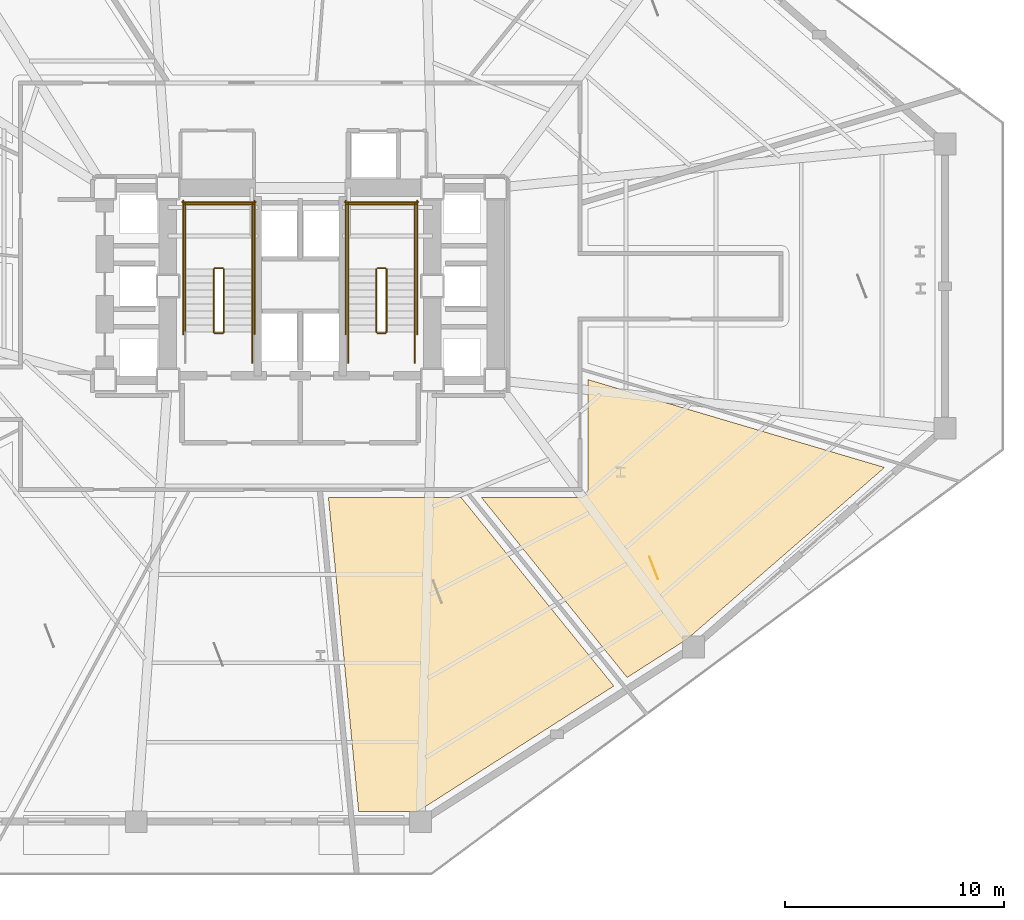
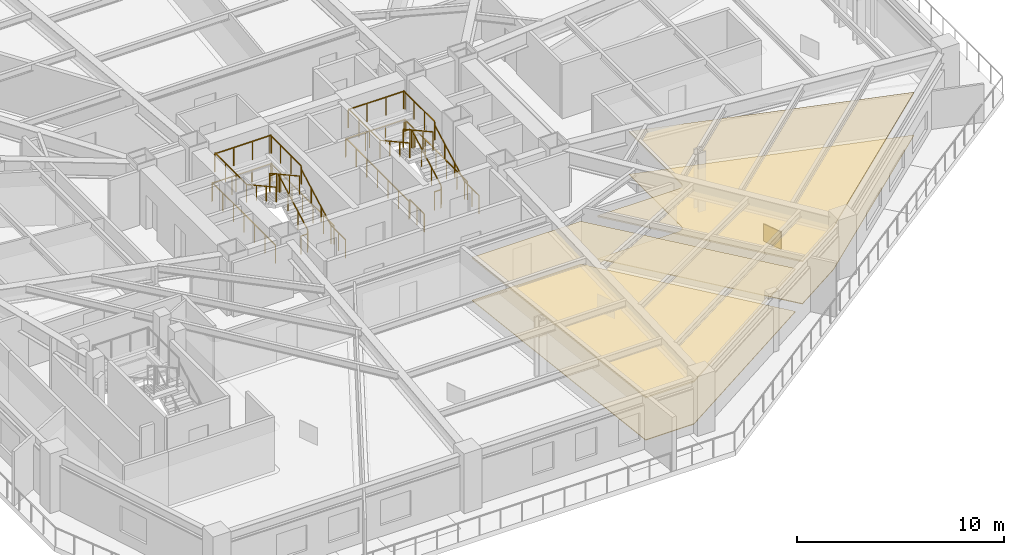
# One storey, part 9 of 10: 27 railings, 5 coverings.
"""IFC4 building model written with IfcOpenShell, lengths in metres."""

from ifc_helpers import new_model, si_unit, direction, frame, origin, origin_2d, place, context, subcontext, project, spatial, polyline, rectangle, outline, extrude, material, layer, layer_set, type_object, element, save


model = new_model("IFC4")

# Units and contexts
model_context = context("Model", 3, precision=1e-05, world=origin(), true_north=direction((0.0, 1.0)))
body_context = subcontext(model_context, "Body", "Model", "MODEL_VIEW")
ifc_project = project(units=[si_unit("LENGTHUNIT", "METRE"), si_unit("AREAUNIT", "SQUARE_METRE"), si_unit("VOLUMEUNIT", "CUBIC_METRE"), si_unit("PLANEANGLEUNIT", "RADIAN"), si_unit("MASSUNIT", "GRAM", prefix="KILO")], contexts=[model_context])

# Site, building, storey
site_placement = place(None, origin())
site = spatial("IfcSite", under=ifc_project, at=site_placement, CompositionType="ELEMENT")
building_placement = place(site_placement, origin())
building = spatial("IfcBuilding", under=site, at=building_placement, Name="Rocaltana Carrier Exchange", CompositionType="ELEMENT")
storey_placement = place(building_placement, frame((0.0, 0.0, 4.800048828125)))
storey = spatial("IfcBuildingStorey", under=building, at=storey_placement, Name="L02", CompositionType="ELEMENT", Elevation=4.800048828125)

# Coverings
ifc_material_1 = material(Name="Honed Bogota Sandstone Tile", Category="masonry")
ifc_layer_1 = layer(ifc_material_1, 0.0400390625)
ifc_layer_set_1 = layer_set([ifc_layer_1], Name="Honed Bogota Sandstone Tile")
covering_type_1 = type_object("IfcCoveringType", Name="Honed Stone Lobby Flooring 40", PredefinedType="FLOORING", material=ifc_layer_set_1)
covering_1_placement = place(storey_placement, origin())
element("IfcCovering", 1, at=covering_1_placement, inside=storey, type_object=covering_type_1, Name="L02 Optical Switching Laboratory Finish Floor", PredefinedType="FLOORING", context=body_context, shape_type="SweptSolid", body=[
    extrude(outline(polyline([(5.365478515625, -24.0400390625), (2.676513671875, -24.0400390625), (1.291748046875, -9.659912109375), (7.359375, -9.659912109375), (14.348388671875, -18.291015625), (5.365478515625, -24.0400390625)])), origin(), (0.0, 0.0, 1.0), 0.0400390625),
])
covering_2_placement = place(storey_placement, origin())
element("IfcCovering", 2, at=covering_2_placement, inside=storey, type_object=covering_type_1, Name="L02 Carrier Peering Suite Finish Floor", PredefinedType="FLOORING", context=body_context, shape_type="SweptSolid", body=[
    extrude(outline(polyline([(17.7236328125, -16.130615234375), (14.95849609375, -17.900390625), (8.28564453125, -9.659912109375), (12.800048828125, -9.659912109375), (12.813720703125, -9.65966796875), (12.821533203125, -9.6591796875), (12.848876953125, -9.656494140625), (12.856689453125, -9.655517578125), (12.883544921875, -9.650146484375), (12.891357421875, -9.648193359375), (12.91748046875, -9.64013671875), (12.9248046875, -9.637451171875), (12.9501953125, -9.626953125), (12.95751953125, -9.623779296875), (12.981689453125, -9.610595703125), (12.98828125, -9.606689453125), (13.01123046875, -9.59130859375), (13.017578125, -9.586669921875), (13.038818359375, -9.5693359375), (13.044677734375, -9.56396484375), (13.06396484375, -9.544677734375), (13.0693359375, -9.538818359375), (13.086669921875, -9.517578125), (13.09130859375, -9.51123046875), (13.106689453125, -9.48828125), (13.110595703125, -9.481689453125), (13.123779296875, -9.45751953125), (13.126953125, -9.4501953125), (13.137451171875, -9.4248046875), (13.14013671875, -9.41748046875), (13.148193359375, -9.391357421875), (13.150146484375, -9.383544921875), (13.155517578125, -9.356689453125), (13.156494140625, -9.348876953125), (13.1591796875, -9.321533203125), (13.15966796875, -9.313720703125), (13.159912109375, -9.300048828125), (13.159912109375, -4.273681640625), (26.735107421875, -8.294677734375), (17.7236328125, -16.130615234375)])), origin(), (0.0, 0.0, 1.0), 0.0400390625),
])
ifc_material_2 = material(Name="Anodised Aluminium 6063-T6", Category="aluminium")
ifc_layer_2 = layer(ifc_material_2, 0.0849609375)
ifc_layer_set_2 = layer_set([ifc_layer_2], Name="Anodised Aluminium 6063-T6")
covering_type_2 = type_object("IfcCoveringType", Name="Linear Baffle Acoustic Ceiling 85", PredefinedType="CEILING", material=ifc_layer_set_2)
covering_3_placement = place(storey_placement, frame((0.0, 0.0, 2.48291015625)))
element("IfcCovering", 3, at=covering_3_placement, inside=storey, type_object=covering_type_2, Name="L02 Optical Switching Laboratory Acoustic Ceiling", PredefinedType="CEILING", context=body_context, shape_type="SweptSolid", body=[
    extrude(outline(polyline([(5.365478515625, -24.0400390625), (2.676513671875, -24.0400390625), (1.291748046875, -9.659912109375), (7.359375, -9.659912109375), (14.348388671875, -18.291015625), (5.365478515625, -24.0400390625)])), origin(), (0.0, 0.0, 1.0), 0.0849609375),
])
covering_4_placement = place(storey_placement, frame((0.0, 0.0, 2.48291015625)))
element("IfcCovering", 4, at=covering_4_placement, inside=storey, type_object=covering_type_2, Name="L02 Carrier Peering Suite Acoustic Ceiling", PredefinedType="CEILING", context=body_context, shape_type="SweptSolid", body=[
    extrude(outline(polyline([(17.7236328125, -16.130615234375), (14.95849609375, -17.900390625), (8.28564453125, -9.659912109375), (12.800048828125, -9.659912109375), (12.813720703125, -9.65966796875), (12.821533203125, -9.6591796875), (12.848876953125, -9.656494140625), (12.856689453125, -9.655517578125), (12.883544921875, -9.650146484375), (12.891357421875, -9.648193359375), (12.91748046875, -9.64013671875), (12.9248046875, -9.637451171875), (12.9501953125, -9.626953125), (12.95751953125, -9.623779296875), (12.981689453125, -9.610595703125), (12.98828125, -9.606689453125), (13.01123046875, -9.59130859375), (13.017578125, -9.586669921875), (13.038818359375, -9.5693359375), (13.044677734375, -9.56396484375), (13.06396484375, -9.544677734375), (13.0693359375, -9.538818359375), (13.086669921875, -9.517578125), (13.09130859375, -9.51123046875), (13.106689453125, -9.48828125), (13.110595703125, -9.481689453125), (13.123779296875, -9.45751953125), (13.126953125, -9.4501953125), (13.137451171875, -9.4248046875), (13.14013671875, -9.41748046875), (13.148193359375, -9.391357421875), (13.150146484375, -9.383544921875), (13.155517578125, -9.356689453125), (13.156494140625, -9.348876953125), (13.1591796875, -9.321533203125), (13.15966796875, -9.313720703125), (13.159912109375, -9.300048828125), (13.159912109375, -4.273681640625), (26.735107421875, -8.294677734375), (17.7236328125, -16.130615234375)])), origin(), (0.0, 0.0, 1.0), 0.0849609375),
])

# Railings
ifc_material_3 = material(Name="Brushed Architectural Stainless Tube", Category="steel")
ifc_layer_3 = layer(ifc_material_3, 0.048095703125)
ifc_layer_set_3 = layer_set([ifc_layer_3], Name="Brushed Architectural Stainless Tube")
railing_type_1 = type_object("IfcRailingType", Name="Stair Wall Handrail 920", PredefinedType="HANDRAIL", material=ifc_layer_set_3)
railing_1_placement = place(storey_placement, frame((-2.18994140625, -2.10009765625, 0.176025390625)))
element("IfcRailing", 5, at=railing_1_placement, inside=storey, type_object=railing_type_1, Name="L02 ST-1 stair handrail 1", PredefinedType="HANDRAIL", context=body_context, shape_type="SweptSolid", body=[
    extrude(rectangle(XDim=0.048095703125, YDim=0.048095703125, at=origin_2d()), frame((0.0, 0.0, 0.8759765625), z_axis=(0.0, 0.876226885812, 0.481898790807), x_axis=(-1.0, 0.0, 0.0)), (0.0, 0.0, 1.0), 3.286865234375),
    extrude(rectangle(XDim=0.0419921875, YDim=0.0419921875, at=origin_2d()), origin(), (0.0, 0.0, 1.0), 0.851806640625),
    extrude(rectangle(XDim=0.0419921875, YDim=0.0419921875, at=origin_2d()), frame((0.0, 0.9599609375, 0.528076171875)), (0.0, 0.0, 1.0), 0.851806640625),
    extrude(rectangle(XDim=0.0419921875, YDim=0.0419921875, at=origin_2d()), frame((0.0, 1.920166015625, 1.055908203125)), (0.0, 0.0, 1.0), 0.851806640625),
    extrude(rectangle(XDim=0.0419921875, YDim=0.0419921875, at=origin_2d()), frame((0.0, 2.880126953125, 1.583984375)), (0.0, 0.0, 1.0), 0.851806640625),
])
railing_2_placement = place(storey_placement, frame((-5.25, 0.780029296875, 1.93603515625)))
element("IfcRailing", 6, at=railing_2_placement, inside=storey, type_object=railing_type_1, Name="L02 ST-1 stair handrail 2", PredefinedType="HANDRAIL", context=body_context, shape_type="SweptSolid", body=[
    extrude(rectangle(XDim=0.048095703125, YDim=0.048095703125, at=origin_2d()), frame((0.0, 0.0, 0.8759765625), z_axis=(0.0, -0.876226885812, 0.481898790807), x_axis=(1.0, 0.0, 0.0)), (0.0, 0.0, 1.0), 3.286865234375),
    extrude(rectangle(XDim=0.0419921875, YDim=0.0419921875, at=origin_2d()), origin(), (0.0, 0.0, 1.0), 0.851806640625),
    extrude(rectangle(XDim=0.0419921875, YDim=0.0419921875, at=origin_2d()), frame((0.0, -0.9599609375, 0.528076171875)), (0.0, 0.0, 1.0), 0.851806640625),
    extrude(rectangle(XDim=0.0419921875, YDim=0.0419921875, at=origin_2d()), frame((0.0, -1.920166015625, 1.055908203125)), (0.0, 0.0, 1.0), 0.851806640625),
    extrude(rectangle(XDim=0.0419921875, YDim=0.0419921875, at=origin_2d()), frame((0.0, -2.880126953125, 1.583984375)), (0.0, 0.0, 1.0), 0.851806640625),
])
railing_3_placement = place(storey_placement, frame((5.25, -2.10009765625, 0.176025390625)))
element("IfcRailing", 7, at=railing_3_placement, inside=storey, type_object=railing_type_1, Name="L02 ST-2 stair handrail 1", PredefinedType="HANDRAIL", context=body_context, shape_type="SweptSolid", body=[
    extrude(rectangle(XDim=0.048095703125, YDim=0.048095703125, at=origin_2d()), frame((0.0, 0.0, 0.8759765625), z_axis=(0.0, 0.876226885812, 0.481898790807), x_axis=(-1.0, 0.0, 0.0)), (0.0, 0.0, 1.0), 3.286865234375),
    extrude(rectangle(XDim=0.0419921875, YDim=0.0419921875, at=origin_2d()), origin(), (0.0, 0.0, 1.0), 0.851806640625),
    extrude(rectangle(XDim=0.0419921875, YDim=0.0419921875, at=origin_2d()), frame((0.0, 0.9599609375, 0.528076171875)), (0.0, 0.0, 1.0), 0.851806640625),
    extrude(rectangle(XDim=0.0419921875, YDim=0.0419921875, at=origin_2d()), frame((0.0, 1.920166015625, 1.055908203125)), (0.0, 0.0, 1.0), 0.851806640625),
    extrude(rectangle(XDim=0.0419921875, YDim=0.0419921875, at=origin_2d()), frame((0.0, 2.880126953125, 1.583984375)), (0.0, 0.0, 1.0), 0.851806640625),
])
railing_4_placement = place(storey_placement, frame((2.18994140625, 0.780029296875, 1.93603515625)))
element("IfcRailing", 8, at=railing_4_placement, inside=storey, type_object=railing_type_1, Name="L02 ST-2 stair handrail 2", PredefinedType="HANDRAIL", context=body_context, shape_type="SweptSolid", body=[
    extrude(rectangle(XDim=0.048095703125, YDim=0.048095703125, at=origin_2d()), frame((0.0, 0.0, 0.8759765625), z_axis=(0.0, -0.876226885812, 0.481898790807), x_axis=(1.0, 0.0, 0.0)), (0.0, 0.0, 1.0), 3.286865234375),
    extrude(rectangle(XDim=0.0419921875, YDim=0.0419921875, at=origin_2d()), origin(), (0.0, 0.0, 1.0), 0.851806640625),
    extrude(rectangle(XDim=0.0419921875, YDim=0.0419921875, at=origin_2d()), frame((0.0, -0.9599609375, 0.528076171875)), (0.0, 0.0, 1.0), 0.851806640625),
    extrude(rectangle(XDim=0.0419921875, YDim=0.0419921875, at=origin_2d()), frame((0.0, -1.920166015625, 1.055908203125)), (0.0, 0.0, 1.0), 0.851806640625),
    extrude(rectangle(XDim=0.0419921875, YDim=0.0419921875, at=origin_2d()), frame((0.0, -2.880126953125, 1.583984375)), (0.0, 0.0, 1.0), 0.851806640625),
])
ifc_material_4 = material(Name="Powder-Coated Aluminium 6063-T6", Category="aluminium")
ifc_layer_4 = layer(ifc_material_4, 0.048095703125)
ifc_layer_set_4 = layer_set([ifc_layer_4], Name="Powder-Coated Aluminium 6063-T6")
railing_type_2 = type_object("IfcRailingType", Name="Stair Well Guardrail 1100", PredefinedType="GUARDRAIL", material=ifc_layer_set_4)
railing_5_placement = place(storey_placement, frame((-3.489990234375, -2.10009765625, 0.176025390625)))
element("IfcRailing", 9, at=railing_5_placement, inside=storey, type_object=railing_type_2, Name="L02 ST-1 stair guard 1", PredefinedType="GUARDRAIL", context=body_context, shape_type="SweptSolid", body=[
    extrude(rectangle(XDim=0.048095703125, YDim=0.048095703125, at=origin_2d()), frame((0.0, 0.0, 1.076171875), z_axis=(0.0, 0.876226885812, 0.481898790807), x_axis=(-1.0, 0.0, 0.0)), (0.0, 0.0, 1.0), 3.286865234375),
    extrude(rectangle(XDim=0.0419921875, YDim=0.0419921875, at=origin_2d()), origin(), (0.0, 0.0, 1.0), 1.052001953125),
    extrude(rectangle(XDim=0.0419921875, YDim=0.0419921875, at=origin_2d()), frame((0.0, 0.9599609375, 0.528076171875)), (0.0, 0.0, 1.0), 1.052001953125),
    extrude(rectangle(XDim=0.0419921875, YDim=0.0419921875, at=origin_2d()), frame((0.0, 1.920166015625, 1.055908203125)), (0.0, 0.0, 1.0), 1.052001953125),
    extrude(rectangle(XDim=0.0419921875, YDim=0.0419921875, at=origin_2d()), frame((0.0, 2.880126953125, 1.583984375)), (0.0, 0.0, 1.0), 1.052001953125),
])
railing_6_placement = place(storey_placement, frame((-3.5400390625, 0.830078125, 1.760009765625)))
element("IfcRailing", 10, at=railing_6_placement, inside=storey, type_object=railing_type_2, Name="L02 ST-1 stair guard 2", PredefinedType="GUARDRAIL", context=body_context, shape_type="SweptSolid", body=[
    extrude(rectangle(XDim=0.048095703125, YDim=0.048095703125, at=origin_2d()), frame((0.0, 0.0, 1.076171875), z_axis=(-1.0, 0.0, 0.0), x_axis=(0.0, -1.0, 0.0)), (0.0, 0.0, 1.0), 0.35986328125),
    extrude(rectangle(XDim=0.0419921875, YDim=0.0419921875, at=origin_2d()), origin(), (0.0, 0.0, 1.0), 1.052001953125),
    extrude(rectangle(XDim=0.0419921875, YDim=0.0419921875, at=origin_2d()), frame((-0.35986328125, 0.0, 0.0)), (0.0, 0.0, 1.0), 1.052001953125),
])
for number, where, name in (
    (11, (-2.18994140625, 0.780029296875, 1.760009765625), "L02 ST-1 stair guard 3"),
    (12, (-5.25, 0.780029296875, 1.760009765625), "L02 ST-1 stair guard 4"),
):
    element("IfcRailing", number, at=place(storey_placement, frame(where)), inside=storey, type_object=railing_type_2, Name=name, PredefinedType="GUARDRAIL", context=body_context, shape_type="SweptSolid", body=[
        extrude(rectangle(XDim=0.048095703125, YDim=0.048095703125, at=origin_2d()), frame((0.0, 0.0, 1.076171875), z_axis=(0.0, 1.0, 0.0), x_axis=(-1.0, 0.0, 0.0)), (0.0, 0.0, 1.0), 3.02001953125),
        extrude(rectangle(XDim=0.0419921875, YDim=0.0419921875, at=origin_2d()), origin(), (0.0, 0.0, 1.0), 1.052001953125),
        extrude(rectangle(XDim=0.0419921875, YDim=0.0419921875, at=origin_2d()), frame((0.0, 1.006591796875, 0.0)), (0.0, 0.0, 1.0), 1.052001953125),
        extrude(rectangle(XDim=0.0419921875, YDim=0.0419921875, at=origin_2d()), frame((0.0, 2.013427734375, 0.0)), (0.0, 0.0, 1.0), 1.052001953125),
        extrude(rectangle(XDim=0.0419921875, YDim=0.0419921875, at=origin_2d()), frame((0.0, 3.02001953125, 0.0)), (0.0, 0.0, 1.0), 1.052001953125),
    ])
railing_7_placement = place(storey_placement, frame((-2.139892578125, 3.75, 1.760009765625)))
element("IfcRailing", 13, at=railing_7_placement, inside=storey, type_object=railing_type_2, Name="L02 ST-1 stair guard 5", PredefinedType="GUARDRAIL", context=body_context, shape_type="SweptSolid", body=[
    extrude(rectangle(XDim=0.048095703125, YDim=0.048095703125, at=origin_2d()), frame((0.0, 0.0, 1.076171875), z_axis=(-1.0, 0.0, 0.0), x_axis=(0.0, -1.0, 0.0)), (0.0, 0.0, 1.0), 3.16015625),
    extrude(rectangle(XDim=0.0419921875, YDim=0.0419921875, at=origin_2d()), origin(), (0.0, 0.0, 1.0), 1.052001953125),
    extrude(rectangle(XDim=0.0419921875, YDim=0.0419921875, at=origin_2d()), frame((-1.053466796875, 0.0, 0.0)), (0.0, 0.0, 1.0), 1.052001953125),
    extrude(rectangle(XDim=0.0419921875, YDim=0.0419921875, at=origin_2d()), frame((-2.106689453125, 0.0, 0.0)), (0.0, 0.0, 1.0), 1.052001953125),
    extrude(rectangle(XDim=0.0419921875, YDim=0.0419921875, at=origin_2d()), frame((-3.16015625, 0.0, 0.0)), (0.0, 0.0, 1.0), 1.052001953125),
])
railing_8_placement = place(storey_placement, frame((-3.949951171875, 0.780029296875, 1.93603515625)))
element("IfcRailing", 14, at=railing_8_placement, inside=storey, type_object=railing_type_2, Name="L02 ST-1 stair guard 6", PredefinedType="GUARDRAIL", context=body_context, shape_type="SweptSolid", body=[
    extrude(rectangle(XDim=0.048095703125, YDim=0.048095703125, at=origin_2d()), frame((0.0, 0.0, 1.076171875), z_axis=(0.0, -0.876226885812, 0.481898790807), x_axis=(1.0, 0.0, 0.0)), (0.0, 0.0, 1.0), 3.286865234375),
    extrude(rectangle(XDim=0.0419921875, YDim=0.0419921875, at=origin_2d()), origin(), (0.0, 0.0, 1.0), 1.052001953125),
    extrude(rectangle(XDim=0.0419921875, YDim=0.0419921875, at=origin_2d()), frame((0.0, -0.9599609375, 0.528076171875)), (0.0, 0.0, 1.0), 1.052001953125),
    extrude(rectangle(XDim=0.0419921875, YDim=0.0419921875, at=origin_2d()), frame((0.0, -1.920166015625, 1.055908203125)), (0.0, 0.0, 1.0), 1.052001953125),
    extrude(rectangle(XDim=0.0419921875, YDim=0.0419921875, at=origin_2d()), frame((0.0, -2.880126953125, 1.583984375)), (0.0, 0.0, 1.0), 1.052001953125),
])
railing_9_placement = place(storey_placement, frame((-3.5400390625, -2.14990234375, 0.0)))
element("IfcRailing", 15, at=railing_9_placement, inside=storey, type_object=railing_type_2, Name="L02 ST-1 stair guard 7", PredefinedType="GUARDRAIL", context=body_context, shape_type="SweptSolid", body=[
    extrude(rectangle(XDim=0.048095703125, YDim=0.048095703125, at=origin_2d()), frame((0.0, 0.0, 1.076171875), z_axis=(-1.0, 0.0, 0.0), x_axis=(0.0, -1.0, 0.0)), (0.0, 0.0, 1.0), 0.35986328125),
    extrude(rectangle(XDim=0.0419921875, YDim=0.0419921875, at=origin_2d()), origin(), (0.0, 0.0, 1.0), 1.052001953125),
    extrude(rectangle(XDim=0.0419921875, YDim=0.0419921875, at=origin_2d()), frame((-0.35986328125, 0.0, 0.0)), (0.0, 0.0, 1.0), 1.052001953125),
])
railing_10_placement = place(storey_placement, frame((-2.18994140625, -3.5, 0.0)))
element("IfcRailing", 16, at=railing_10_placement, inside=storey, type_object=railing_type_2, Name="L02 ST-1 stair guard 8", PredefinedType="GUARDRAIL", context=body_context, shape_type="SweptSolid", body=[
    extrude(rectangle(XDim=0.048095703125, YDim=0.048095703125, at=origin_2d()), frame((0.0, 0.0, 1.076171875), z_axis=(0.0, 1.0, 0.0), x_axis=(-1.0, 0.0, 0.0)), (0.0, 0.0, 1.0), 1.39990234375),
    extrude(rectangle(XDim=0.0419921875, YDim=0.0419921875, at=origin_2d()), origin(), (0.0, 0.0, 1.0), 1.052001953125),
    extrude(rectangle(XDim=0.0419921875, YDim=0.0419921875, at=origin_2d()), frame((0.0, 0.699951171875, 0.0)), (0.0, 0.0, 1.0), 1.052001953125),
    extrude(rectangle(XDim=0.0419921875, YDim=0.0419921875, at=origin_2d()), frame((0.0, 1.39990234375, 0.0)), (0.0, 0.0, 1.0), 1.052001953125),
])
for number, where, name in (
    (17, (-2.090087890625, -2.199951171875, 0.0), "L02 ST-1 stair guard 10"),
    (18, (-5.35009765625, -2.199951171875, 0.0), "L02 ST-1 stair guard 11"),
):
    element("IfcRailing", number, at=place(storey_placement, frame(where)), inside=storey, type_object=railing_type_2, Name=name, PredefinedType="GUARDRAIL", context=body_context, shape_type="SweptSolid", body=[
        extrude(rectangle(XDim=0.048095703125, YDim=0.048095703125, at=origin_2d()), frame((0.0, 0.0, 1.076171875), z_axis=(0.0, 1.0, 0.0), x_axis=(-1.0, 0.0, 0.0)), (0.0, 0.0, 1.0), 6.099853515625),
        extrude(rectangle(XDim=0.0419921875, YDim=0.0419921875, at=origin_2d()), origin(), (0.0, 0.0, 1.0), 1.052001953125),
        extrude(rectangle(XDim=0.0419921875, YDim=0.0419921875, at=origin_2d()), frame((0.0, 1.0166015625, 0.0)), (0.0, 0.0, 1.0), 1.052001953125),
        extrude(rectangle(XDim=0.0419921875, YDim=0.0419921875, at=origin_2d()), frame((0.0, 2.033203125, 0.0)), (0.0, 0.0, 1.0), 1.052001953125),
        extrude(rectangle(XDim=0.0419921875, YDim=0.0419921875, at=origin_2d()), frame((0.0, 3.0498046875, 0.0)), (0.0, 0.0, 1.0), 1.052001953125),
        extrude(rectangle(XDim=0.0419921875, YDim=0.0419921875, at=origin_2d()), frame((0.0, 4.066650390625, 0.0)), (0.0, 0.0, 1.0), 1.052001953125),
        extrude(rectangle(XDim=0.0419921875, YDim=0.0419921875, at=origin_2d()), frame((0.0, 5.083251953125, 0.0)), (0.0, 0.0, 1.0), 1.052001953125),
        extrude(rectangle(XDim=0.0419921875, YDim=0.0419921875, at=origin_2d()), frame((0.0, 6.099853515625, 0.0)), (0.0, 0.0, 1.0), 1.052001953125),
    ])
railing_11_placement = place(storey_placement, frame((-2.0400390625, 3.85009765625, 0.0)))
element("IfcRailing", 19, at=railing_11_placement, inside=storey, type_object=railing_type_2, Name="L02 ST-1 stair guard 12", PredefinedType="GUARDRAIL", context=body_context, shape_type="SweptSolid", body=[
    extrude(rectangle(XDim=0.048095703125, YDim=0.048095703125, at=origin_2d()), frame((0.0, 0.0, 1.076171875), z_axis=(-1.0, 0.0, 0.0), x_axis=(0.0, -1.0, 0.0)), (0.0, 0.0, 1.0), 3.35986328125),
    extrude(rectangle(XDim=0.0419921875, YDim=0.0419921875, at=origin_2d()), origin(), (0.0, 0.0, 1.0), 1.052001953125),
    extrude(rectangle(XDim=0.0419921875, YDim=0.0419921875, at=origin_2d()), frame((-1.119873046875, 0.0, 0.0)), (0.0, 0.0, 1.0), 1.052001953125),
    extrude(rectangle(XDim=0.0419921875, YDim=0.0419921875, at=origin_2d()), frame((-2.239990234375, 0.0, 0.0)), (0.0, 0.0, 1.0), 1.052001953125),
    extrude(rectangle(XDim=0.0419921875, YDim=0.0419921875, at=origin_2d()), frame((-3.35986328125, 0.0, 0.0)), (0.0, 0.0, 1.0), 1.052001953125),
])
railing_12_placement = place(storey_placement, frame((3.949951171875, -2.10009765625, 0.176025390625)))
element("IfcRailing", 20, at=railing_12_placement, inside=storey, type_object=railing_type_2, Name="L02 ST-2 stair guard 1", PredefinedType="GUARDRAIL", context=body_context, shape_type="SweptSolid", body=[
    extrude(rectangle(XDim=0.048095703125, YDim=0.048095703125, at=origin_2d()), frame((0.0, 0.0, 1.076171875), z_axis=(0.0, 0.876226885812, 0.481898790807), x_axis=(-1.0, 0.0, 0.0)), (0.0, 0.0, 1.0), 3.286865234375),
    extrude(rectangle(XDim=0.0419921875, YDim=0.0419921875, at=origin_2d()), origin(), (0.0, 0.0, 1.0), 1.052001953125),
    extrude(rectangle(XDim=0.0419921875, YDim=0.0419921875, at=origin_2d()), frame((0.0, 0.9599609375, 0.528076171875)), (0.0, 0.0, 1.0), 1.052001953125),
    extrude(rectangle(XDim=0.0419921875, YDim=0.0419921875, at=origin_2d()), frame((0.0, 1.920166015625, 1.055908203125)), (0.0, 0.0, 1.0), 1.052001953125),
    extrude(rectangle(XDim=0.0419921875, YDim=0.0419921875, at=origin_2d()), frame((0.0, 2.880126953125, 1.583984375)), (0.0, 0.0, 1.0), 1.052001953125),
])
railing_13_placement = place(storey_placement, frame((3.89990234375, 0.830078125, 1.760009765625)))
element("IfcRailing", 21, at=railing_13_placement, inside=storey, type_object=railing_type_2, Name="L02 ST-2 stair guard 2", PredefinedType="GUARDRAIL", context=body_context, shape_type="SweptSolid", body=[
    extrude(rectangle(XDim=0.048095703125, YDim=0.048095703125, at=origin_2d()), frame((0.0, 0.0, 1.076171875), z_axis=(-1.0, 0.0, 0.0), x_axis=(0.0, -1.0, 0.0)), (0.0, 0.0, 1.0), 0.35986328125),
    extrude(rectangle(XDim=0.0419921875, YDim=0.0419921875, at=origin_2d()), origin(), (0.0, 0.0, 1.0), 1.052001953125),
    extrude(rectangle(XDim=0.0419921875, YDim=0.0419921875, at=origin_2d()), frame((-0.35986328125, 0.0, 0.0)), (0.0, 0.0, 1.0), 1.052001953125),
])
for number, where, name in (
    (22, (5.25, 0.780029296875, 1.760009765625), "L02 ST-2 stair guard 3"),
    (23, (2.18994140625, 0.780029296875, 1.760009765625), "L02 ST-2 stair guard 4"),
):
    element("IfcRailing", number, at=place(storey_placement, frame(where)), inside=storey, type_object=railing_type_2, Name=name, PredefinedType="GUARDRAIL", context=body_context, shape_type="SweptSolid", body=[
        extrude(rectangle(XDim=0.048095703125, YDim=0.048095703125, at=origin_2d()), frame((0.0, 0.0, 1.076171875), z_axis=(0.0, 1.0, 0.0), x_axis=(-1.0, 0.0, 0.0)), (0.0, 0.0, 1.0), 3.02001953125),
        extrude(rectangle(XDim=0.0419921875, YDim=0.0419921875, at=origin_2d()), origin(), (0.0, 0.0, 1.0), 1.052001953125),
        extrude(rectangle(XDim=0.0419921875, YDim=0.0419921875, at=origin_2d()), frame((0.0, 1.006591796875, 0.0)), (0.0, 0.0, 1.0), 1.052001953125),
        extrude(rectangle(XDim=0.0419921875, YDim=0.0419921875, at=origin_2d()), frame((0.0, 2.013427734375, 0.0)), (0.0, 0.0, 1.0), 1.052001953125),
        extrude(rectangle(XDim=0.0419921875, YDim=0.0419921875, at=origin_2d()), frame((0.0, 3.02001953125, 0.0)), (0.0, 0.0, 1.0), 1.052001953125),
    ])
railing_14_placement = place(storey_placement, frame((5.300048828125, 3.75, 1.760009765625)))
element("IfcRailing", 24, at=railing_14_placement, inside=storey, type_object=railing_type_2, Name="L02 ST-2 stair guard 5", PredefinedType="GUARDRAIL", context=body_context, shape_type="SweptSolid", body=[
    extrude(rectangle(XDim=0.048095703125, YDim=0.048095703125, at=origin_2d()), frame((0.0, 0.0, 1.076171875), z_axis=(-1.0, 0.0, 0.0), x_axis=(0.0, -1.0, 0.0)), (0.0, 0.0, 1.0), 3.16015625),
    extrude(rectangle(XDim=0.0419921875, YDim=0.0419921875, at=origin_2d()), origin(), (0.0, 0.0, 1.0), 1.052001953125),
    extrude(rectangle(XDim=0.0419921875, YDim=0.0419921875, at=origin_2d()), frame((-1.053466796875, 0.0, 0.0)), (0.0, 0.0, 1.0), 1.052001953125),
    extrude(rectangle(XDim=0.0419921875, YDim=0.0419921875, at=origin_2d()), frame((-2.106689453125, 0.0, 0.0)), (0.0, 0.0, 1.0), 1.052001953125),
    extrude(rectangle(XDim=0.0419921875, YDim=0.0419921875, at=origin_2d()), frame((-3.16015625, 0.0, 0.0)), (0.0, 0.0, 1.0), 1.052001953125),
])
railing_15_placement = place(storey_placement, frame((3.489990234375, 0.780029296875, 1.93603515625)))
element("IfcRailing", 25, at=railing_15_placement, inside=storey, type_object=railing_type_2, Name="L02 ST-2 stair guard 6", PredefinedType="GUARDRAIL", context=body_context, shape_type="SweptSolid", body=[
    extrude(rectangle(XDim=0.048095703125, YDim=0.048095703125, at=origin_2d()), frame((0.0, 0.0, 1.076171875), z_axis=(0.0, -0.876226885812, 0.481898790807), x_axis=(1.0, 0.0, 0.0)), (0.0, 0.0, 1.0), 3.286865234375),
    extrude(rectangle(XDim=0.0419921875, YDim=0.0419921875, at=origin_2d()), origin(), (0.0, 0.0, 1.0), 1.052001953125),
    extrude(rectangle(XDim=0.0419921875, YDim=0.0419921875, at=origin_2d()), frame((0.0, -0.9599609375, 0.528076171875)), (0.0, 0.0, 1.0), 1.052001953125),
    extrude(rectangle(XDim=0.0419921875, YDim=0.0419921875, at=origin_2d()), frame((0.0, -1.920166015625, 1.055908203125)), (0.0, 0.0, 1.0), 1.052001953125),
    extrude(rectangle(XDim=0.0419921875, YDim=0.0419921875, at=origin_2d()), frame((0.0, -2.880126953125, 1.583984375)), (0.0, 0.0, 1.0), 1.052001953125),
])
railing_16_placement = place(storey_placement, frame((3.89990234375, -2.14990234375, 0.0)))
element("IfcRailing", 26, at=railing_16_placement, inside=storey, type_object=railing_type_2, Name="L02 ST-2 stair guard 7", PredefinedType="GUARDRAIL", context=body_context, shape_type="SweptSolid", body=[
    extrude(rectangle(XDim=0.048095703125, YDim=0.048095703125, at=origin_2d()), frame((0.0, 0.0, 1.076171875), z_axis=(-1.0, 0.0, 0.0), x_axis=(0.0, -1.0, 0.0)), (0.0, 0.0, 1.0), 0.35986328125),
    extrude(rectangle(XDim=0.0419921875, YDim=0.0419921875, at=origin_2d()), origin(), (0.0, 0.0, 1.0), 1.052001953125),
    extrude(rectangle(XDim=0.0419921875, YDim=0.0419921875, at=origin_2d()), frame((-0.35986328125, 0.0, 0.0)), (0.0, 0.0, 1.0), 1.052001953125),
])
for number, where, name in (
    (27, (5.25, -3.5, 0.0), "L02 ST-2 stair guard 8"),
    (28, (2.18994140625, -3.5, 0.0), "L02 ST-2 stair guard 9"),
):
    element("IfcRailing", number, at=place(storey_placement, frame(where)), inside=storey, type_object=railing_type_2, Name=name, PredefinedType="GUARDRAIL", context=body_context, shape_type="SweptSolid", body=[
        extrude(rectangle(XDim=0.048095703125, YDim=0.048095703125, at=origin_2d()), frame((0.0, 0.0, 1.076171875), z_axis=(0.0, 1.0, 0.0), x_axis=(-1.0, 0.0, 0.0)), (0.0, 0.0, 1.0), 1.39990234375),
        extrude(rectangle(XDim=0.0419921875, YDim=0.0419921875, at=origin_2d()), origin(), (0.0, 0.0, 1.0), 1.052001953125),
        extrude(rectangle(XDim=0.0419921875, YDim=0.0419921875, at=origin_2d()), frame((0.0, 0.699951171875, 0.0)), (0.0, 0.0, 1.0), 1.052001953125),
        extrude(rectangle(XDim=0.0419921875, YDim=0.0419921875, at=origin_2d()), frame((0.0, 1.39990234375, 0.0)), (0.0, 0.0, 1.0), 1.052001953125),
    ])
for number, where, name in (
    (29, (5.35009765625, -2.199951171875, 0.0), "L02 ST-2 stair guard 10"),
    (30, (2.090087890625, -2.199951171875, 0.0), "L02 ST-2 stair guard 11"),
):
    element("IfcRailing", number, at=place(storey_placement, frame(where)), inside=storey, type_object=railing_type_2, Name=name, PredefinedType="GUARDRAIL", context=body_context, shape_type="SweptSolid", body=[
        extrude(rectangle(XDim=0.048095703125, YDim=0.048095703125, at=origin_2d()), frame((0.0, 0.0, 1.076171875), z_axis=(0.0, 1.0, 0.0), x_axis=(-1.0, 0.0, 0.0)), (0.0, 0.0, 1.0), 6.099853515625),
        extrude(rectangle(XDim=0.0419921875, YDim=0.0419921875, at=origin_2d()), origin(), (0.0, 0.0, 1.0), 1.052001953125),
        extrude(rectangle(XDim=0.0419921875, YDim=0.0419921875, at=origin_2d()), frame((0.0, 1.0166015625, 0.0)), (0.0, 0.0, 1.0), 1.052001953125),
        extrude(rectangle(XDim=0.0419921875, YDim=0.0419921875, at=origin_2d()), frame((0.0, 2.033203125, 0.0)), (0.0, 0.0, 1.0), 1.052001953125),
        extrude(rectangle(XDim=0.0419921875, YDim=0.0419921875, at=origin_2d()), frame((0.0, 3.0498046875, 0.0)), (0.0, 0.0, 1.0), 1.052001953125),
        extrude(rectangle(XDim=0.0419921875, YDim=0.0419921875, at=origin_2d()), frame((0.0, 4.066650390625, 0.0)), (0.0, 0.0, 1.0), 1.052001953125),
        extrude(rectangle(XDim=0.0419921875, YDim=0.0419921875, at=origin_2d()), frame((0.0, 5.083251953125, 0.0)), (0.0, 0.0, 1.0), 1.052001953125),
        extrude(rectangle(XDim=0.0419921875, YDim=0.0419921875, at=origin_2d()), frame((0.0, 6.099853515625, 0.0)), (0.0, 0.0, 1.0), 1.052001953125),
    ])
railing_17_placement = place(storey_placement, frame((5.39990234375, 3.85009765625, 0.0)))
element("IfcRailing", 31, at=railing_17_placement, inside=storey, type_object=railing_type_2, Name="L02 ST-2 stair guard 12", PredefinedType="GUARDRAIL", context=body_context, shape_type="SweptSolid", body=[
    extrude(rectangle(XDim=0.048095703125, YDim=0.048095703125, at=origin_2d()), frame((0.0, 0.0, 1.076171875), z_axis=(-1.0, 0.0, 0.0), x_axis=(0.0, -1.0, 0.0)), (0.0, 0.0, 1.0), 3.35986328125),
    extrude(rectangle(XDim=0.0419921875, YDim=0.0419921875, at=origin_2d()), origin(), (0.0, 0.0, 1.0), 1.052001953125),
    extrude(rectangle(XDim=0.0419921875, YDim=0.0419921875, at=origin_2d()), frame((-1.119873046875, 0.0, 0.0)), (0.0, 0.0, 1.0), 1.052001953125),
    extrude(rectangle(XDim=0.0419921875, YDim=0.0419921875, at=origin_2d()), frame((-2.239990234375, 0.0, 0.0)), (0.0, 0.0, 1.0), 1.052001953125),
    extrude(rectangle(XDim=0.0419921875, YDim=0.0419921875, at=origin_2d()), frame((-3.35986328125, 0.0, 0.0)), (0.0, 0.0, 1.0), 1.052001953125),
])

# Covering
ifc_material_5 = material(Name="Honed Piedra Muneca Sandstone", Category="masonry")
ifc_layer_5 = layer(ifc_material_5, 0.034912109375)
ifc_layer_set_5 = layer_set([ifc_layer_5], Name="Honed Piedra Muneca Sandstone")
covering_type_3 = type_object("IfcCoveringType", Name="Stone Facade Cladding 35", PredefinedType="CLADDING", material=ifc_layer_set_5)
covering_5_placement = place(storey_placement, frame((16.175048828125, -12.8955078125, 0.0), z_axis=(0.0, 0.0, 1.0), x_axis=(-0.358367949545, 0.933580426497, 0.0)))
element("IfcCovering", 32, at=covering_5_placement, inside=storey, type_object=covering_type_3, Name="L02 Stone Facade Cladding Panel 5", PredefinedType="CLADDING", context=body_context, shape_type="SweptSolid", body=[
    extrude(rectangle(XDim=1.10009765625, YDim=0.034912109375, at=origin_2d()), origin(), (0.0, 0.0, 1.0), 1.050048828125),
])

save(model, "model.ifc")
